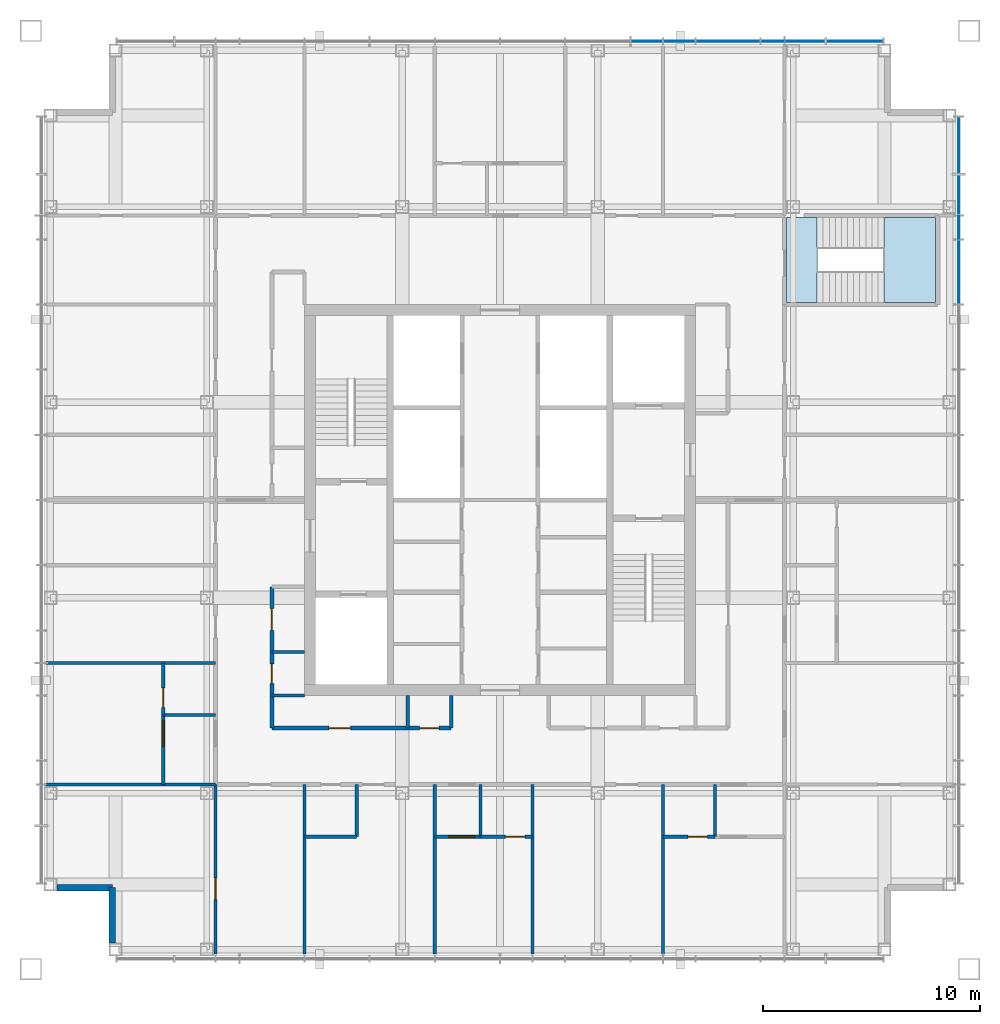
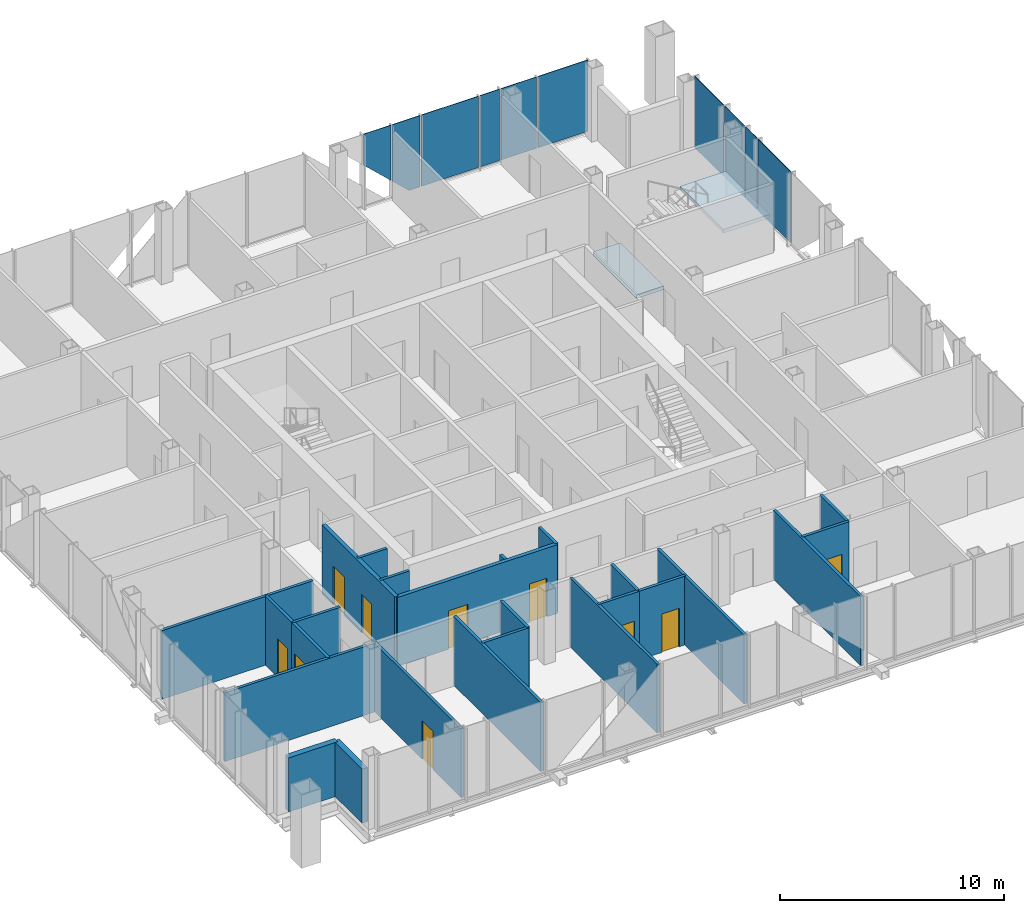
# One storey, part 7 of 12: 25 walls, 10 doors, 10 plates, 2 slabs, 10 openings, 3 elements without a shape of their own.
"""IFC4 building model written with IfcOpenShell, lengths in metres."""

from ifc_helpers import new_model, si_unit, direction, frame, frame_2d, origin, origin_2d, place, context, subcontext, project, spatial, polyline, rectangle, outline, extrude, material, layer, layer_set, type_object, element, fill, aggregate, save


model = new_model("IFC4")

# Units and contexts
model_context = context("Model", 3, precision=1e-05, world=origin(), true_north=direction((0.0, 1.0)))
body_context = subcontext(model_context, "Body", "Model", "MODEL_VIEW")
ifc_project = project(units=[si_unit("LENGTHUNIT", "METRE"), si_unit("AREAUNIT", "SQUARE_METRE"), si_unit("VOLUMEUNIT", "CUBIC_METRE"), si_unit("PLANEANGLEUNIT", "RADIAN"), si_unit("MASSUNIT", "GRAM", prefix="KILO")], contexts=[model_context])

# Site, building, storey
site_placement = place(None, origin())
site = spatial("IfcSite", under=ifc_project, at=site_placement, CompositionType="ELEMENT")
building_placement = place(site_placement, origin())
building = spatial("IfcBuilding", under=site, at=building_placement, Name="Malebo Sky Hospital", CompositionType="ELEMENT")
storey_placement = place(building_placement, frame((0.0, 0.0, 262.0)))
storey = spatial("IfcBuildingStorey", under=building, at=storey_placement, Name="L63", CompositionType="ELEMENT", Elevation=262.0)

# Stair, slabs
ifc_material_1 = material(Name="Concrete C40/50", Category="concrete")
stair_type = type_object("IfcStairType", Name="HALF-TURN STAIR 1400 R167", PredefinedType="HALF_TURN_STAIR", material=ifc_material_1)
stair_placement = place(storey_placement, origin())
stair = element("IfcStair", 1, at=stair_placement, inside=storey, type_object=stair_type, Name="Stair S3 L63 type ST1B", PredefinedType="HALF_TURN_STAIR")
ifc_layer_1 = layer(ifc_material_1, 0.199951171875)
ifc_layer_set_1 = layer_set([ifc_layer_1], Name="STAIR LANDING 200")
slab_type = type_object("IfcSlabType", Name="STAIR LANDING 200", PredefinedType="LANDING", material=ifc_layer_set_1)
slab_1_placement = place(storey_placement, frame((0.0, 0.0, -0.199951171875)))
slab_1 = element("IfcSlab", 2, at=slab_1_placement, type_object=slab_type, Name="S3 landing 1", PredefinedType="LANDING", context=body_context, shape_type="SweptSolid", body=[
    extrude(outline(polyline([(73.199951171875, 71.10009765625), (73.199951171875, 75.0), (74.60009765625, 75.0), (74.60009765625, 71.10009765625), (73.199951171875, 71.10009765625)])), origin(), (0.0, 0.0, 1.0), 0.199951171875),
])
slab_2_placement = place(storey_placement, frame((0.0, 0.0, 1.800048828125)))
slab_2 = element("IfcSlab", 3, at=slab_2_placement, type_object=slab_type, Name="S3 landing 2", PredefinedType="LANDING", context=body_context, shape_type="SweptSolid", body=[
    extrude(outline(polyline([(77.679931640625, 71.10009765625), (77.679931640625, 75.0), (80.050048828125, 75.0), (80.050048828125, 71.10009765625), (77.679931640625, 71.10009765625)])), origin(), (0.0, 0.0, 1.0), 0.199951171875),
])
aggregate(stair, [slab_1, slab_2])

# Curtain wall, plates
ifc_material_2 = material(Name="Anodised aluminium, natural silver", Category="aluminium")
ifc_layer_2 = layer(ifc_material_2, 0.25)
ifc_layer_set_2 = layer_set([ifc_layer_2], Name="WARD CURTAIN WALL NORTH AND SOUTH")
curtain_wall_type_1 = type_object("IfcCurtainWallType", Name="WARD CURTAIN WALL NORTH AND SOUTH", PredefinedType="NOTDEFINED", material=ifc_layer_set_2)
curtain_wall_1_placement = place(storey_placement, origin())
curtain_wall_1 = element("IfcCurtainWall", 4, at=curtain_wall_1_placement, inside=storey, type_object=curtain_wall_type_1, Name="NS curtain wall N", PredefinedType="NOTDEFINED")
ifc_material_3 = material(Name="Clear low-iron double glazing", Category="glass")
ifc_layer_3 = layer(ifc_material_3, 0.031982421875)
ifc_layer_set_3 = layer_set([ifc_layer_3], Name="VISION PANEL CLEAR 32")
plate_type = type_object("IfcPlateType", Name="VISION PANEL CLEAR 32", PredefinedType="CURTAIN_PANEL", material=ifc_layer_set_3)
plate_1_placement = place(storey_placement, frame((66.75, 83.125, 0.970458984375), z_axis=(0.0, 0.0, 1.0), x_axis=(1.0, 0.0, 0.0)))
plate_1 = element("IfcPlate", 5, at=plate_1_placement, type_object=plate_type, Name="Panel 10", PredefinedType="CURTAIN_PANEL", context=body_context, shape_type="SweptSolid", body=[
    extrude(outline(polyline([(0.71240234375, 0.0), (0.71240234375, 3.01953125), (-0.71240234375, 3.01953125), (-0.71240234375, 1.334228515625), (0.71240234375, 0.0)])), frame((0.0, 0.01611328125, 0.0), z_axis=(0.0, -1.0, 0.0), x_axis=(1.0, 0.0, 0.0)), (0.0, 0.0, 1.0), 0.031982421875),
])
plate_2_placement = place(storey_placement, frame((68.25, 83.125, 0.10009765625), z_axis=(0.0, 0.0, 1.0), x_axis=(1.0, 0.0, 0.0)))
plate_2 = element("IfcPlate", 6, at=plate_2_placement, type_object=plate_type, Name="Panel 11", PredefinedType="CURTAIN_PANEL", context=body_context, shape_type="SweptSolid", body=[
    extrude(outline(polyline([(0.14208984375, 0.0), (0.71240234375, 0.0), (0.71240234375, 3.889892578125), (-0.71240234375, 3.889892578125), (-0.71240234375, 0.80029296875), (0.14208984375, 0.0)])), frame((0.0, 0.01611328125, 0.0), z_axis=(0.0, -1.0, 0.0), x_axis=(1.0, 0.0, 0.0)), (0.0, 0.0, 1.0), 0.031982421875),
])
plate_3_placement = place(storey_placement, frame((70.5, 83.125, 0.10009765625), z_axis=(0.0, 0.0, 1.0), x_axis=(1.0, 0.0, 0.0)))
plate_3 = element("IfcPlate", 7, at=plate_3_placement, type_object=plate_type, Name="Panel 12", PredefinedType="CURTAIN_PANEL", context=body_context, shape_type="SweptSolid", body=[
    extrude(rectangle(XDim=2.925048828125, YDim=0.031982421875, at=origin_2d()), origin(), (0.0, 0.0, 1.0), 3.889892578125),
])
plate_4_placement = place(storey_placement, frame((72.550048828125, 83.125, 0.10009765625), z_axis=(0.0, 0.0, 1.0), x_axis=(1.0, 0.0, 0.0)))
plate_4 = element("IfcPlate", 8, at=plate_4_placement, type_object=plate_type, Name="Panel 13", PredefinedType="CURTAIN_PANEL", context=body_context, shape_type="SweptSolid", body=[
    extrude(rectangle(XDim=1.02490234375, YDim=0.031982421875, at=origin_2d()), origin(), (0.0, 0.0, 1.0), 3.889892578125),
])
plate_5_placement = place(storey_placement, frame((74.050048828125, 83.125, 0.10009765625), z_axis=(0.0, 0.0, 1.0), x_axis=(1.0, 0.0, 0.0)))
plate_5 = element("IfcPlate", 9, at=plate_5_placement, type_object=plate_type, Name="Panel 14", PredefinedType="CURTAIN_PANEL", context=body_context, shape_type="SweptSolid", body=[
    extrude(rectangle(XDim=1.824951171875, YDim=0.031982421875, at=origin_2d()), origin(), (0.0, 0.0, 1.0), 3.889892578125),
])
plate_6_placement = place(storey_placement, frame((76.331298828125, 83.125, 0.10009765625), z_axis=(0.0, 0.0, 1.0), x_axis=(1.0, 0.0, 0.0)))
plate_6 = element("IfcPlate", 10, at=plate_6_placement, type_object=plate_type, Name="Panel 15", PredefinedType="CURTAIN_PANEL", context=body_context, shape_type="SweptSolid", body=[
    extrude(rectangle(XDim=2.58740234375, YDim=0.031982421875, at=origin_2d()), origin(), (0.0, 0.0, 1.0), 3.889892578125),
])
aggregate(curtain_wall_1, [plate_1, plate_2, plate_3, plate_4, plate_5, plate_6])

ifc_layer_4 = layer(ifc_material_2, 0.25)
ifc_layer_set_4 = layer_set([ifc_layer_4], Name="WARD CURTAIN WALL EAST AND WEST")
curtain_wall_type_2 = type_object("IfcCurtainWallType", Name="WARD CURTAIN WALL EAST AND WEST", PredefinedType="NOTDEFINED", material=ifc_layer_set_4)
curtain_wall_2_placement = place(storey_placement, origin())
curtain_wall_2 = element("IfcCurtainWall", 11, at=curtain_wall_2_placement, inside=storey, type_object=curtain_wall_type_2, Name="EW curtain wall E", PredefinedType="NOTDEFINED")
plate_7_placement = place(storey_placement, frame((81.125, 78.331298828125, 0.10009765625), z_axis=(0.0, 0.0, 1.0), x_axis=(0.0, -1.0, 0.0)))
plate_7 = element("IfcPlate", 12, at=plate_7_placement, type_object=plate_type, Name="Panel 1", PredefinedType="CURTAIN_PANEL", context=body_context, shape_type="SweptSolid", body=[
    extrude(rectangle(XDim=2.58740234375, YDim=0.031982421875, at=origin_2d()), origin(), (0.0, 0.0, 1.0), 3.889892578125),
])
plate_8_placement = place(storey_placement, frame((81.125, 76.050048828125, 0.10009765625), z_axis=(0.0, 0.0, 1.0), x_axis=(0.0, -1.0, 0.0)))
plate_8 = element("IfcPlate", 13, at=plate_8_placement, type_object=plate_type, Name="Panel 2", PredefinedType="CURTAIN_PANEL", context=body_context, shape_type="SweptSolid", body=[
    extrude(rectangle(XDim=1.824951171875, YDim=0.031982421875, at=origin_2d()), origin(), (0.0, 0.0, 1.0), 3.889892578125),
])
plate_9_placement = place(storey_placement, frame((81.125, 74.550048828125, 0.10009765625), z_axis=(0.0, 0.0, 1.0), x_axis=(0.0, -1.0, 0.0)))
plate_9 = element("IfcPlate", 14, at=plate_9_placement, type_object=plate_type, Name="Panel 3", PredefinedType="CURTAIN_PANEL", context=body_context, shape_type="SweptSolid", body=[
    extrude(rectangle(XDim=1.02490234375, YDim=0.031982421875, at=origin_2d()), origin(), (0.0, 0.0, 1.0), 3.889892578125),
])
plate_10_placement = place(storey_placement, frame((81.125, 72.5, 0.10009765625), z_axis=(0.0, 0.0, 1.0), x_axis=(0.0, -1.0, 0.0)))
plate_10 = element("IfcPlate", 15, at=plate_10_placement, type_object=plate_type, Name="Panel 4", PredefinedType="CURTAIN_PANEL", context=body_context, shape_type="SweptSolid", body=[
    extrude(rectangle(XDim=2.925048828125, YDim=0.031982421875, at=origin_2d()), origin(), (0.0, 0.0, 1.0), 3.889892578125),
])
aggregate(curtain_wall_2, [plate_7, plate_8, plate_9, plate_10])

# Wall, openings, doors
ifc_material_4 = material(Name="Gypsum board on steel studs", Category="steel")
ifc_layer_5 = layer(ifc_material_4, 0.199951171875)
ifc_layer_set_5 = layer_set([ifc_layer_5], Name="CORRIDOR WALL 200")
wall_type_1 = type_object("IfcWallType", Name="CORRIDOR WALL 200", PredefinedType="PARTITIONING", material=ifc_layer_set_5)
wall_1_placement = place(storey_placement, frame((49.5, 51.5, 0.0), z_axis=(0.0, 0.0, 1.0), x_axis=(0.0, 1.0, 0.0)))
wall_1 = element("IfcWall", 16, at=wall_1_placement, inside=storey, type_object=wall_type_1, Name="Corridor Wall 200 WCI1", PredefinedType="PARTITIONING", context=body_context, shape_type="SweptSolid", body=[
    extrude(rectangle(XDim=6.5, YDim=0.199951171875, at=frame_2d((3.25, 0.0))), origin(), (0.0, 0.0, 1.0), 3.75),
])
opening_1_placement = place(wall_1_placement, frame((2.050048828125, 0.0, 0.0)))
opening_1 = element("IfcOpeningElement", 17, at=opening_1_placement, cuts=wall_1, Name="Opening D04", PredefinedType="OPENING", context=body_context, shape_type="SweptSolid", body=[
    extrude(rectangle(XDim=0.89990234375, YDim=2.10009765625, at=frame_2d((0.449951171875, 1.050048828125))), frame((0.0, 0.10986328125, 0.0), z_axis=(0.0, -1.0, 0.0), x_axis=(1.0, 0.0, 0.0)), (0.0, 0.0, 1.0), 0.219970703125),
])
opening_2_placement = place(wall_1_placement, frame((4.5, 0.0, 0.0)))
opening_2 = element("IfcOpeningElement", 18, at=opening_2_placement, cuts=wall_1, Name="Opening D03", PredefinedType="OPENING", context=body_context, shape_type="SweptSolid", body=[
    extrude(rectangle(XDim=1.0, YDim=2.10009765625, at=frame_2d((0.5, 1.050048828125))), frame((0.0, 0.10986328125, 0.0), z_axis=(0.0, -1.0, 0.0), x_axis=(1.0, 0.0, 0.0)), (0.0, 0.0, 1.0), 0.219970703125),
])
ifc_material_5 = material(Name="Hardwood-faced door leaf in steel frame", Category="steel")
door_type_1 = type_object("IfcDoorType", Name="ROOM DOOR 1000", OperationType="SINGLE_SWING_LEFT", PredefinedType="DOOR", material=ifc_material_5)
door_1_placement = place(opening_2_placement, origin())
door_1 = element("IfcDoor", 19, at=door_1_placement, inside=storey, type_object=door_type_1, Name="Linen store door", OperationType="SINGLE_SWING_LEFT", OverallHeight=2.10009765625, OverallWidth=1.0, PredefinedType="DOOR", context=body_context, shape_type="SweptSolid", body=[
    extrude(rectangle(XDim=1.0, YDim=2.10009765625, at=frame_2d((0.5, 1.050048828125))), frame((0.0, 0.02490234375, 0.0), z_axis=(0.0, -1.0, 0.0), x_axis=(1.0, 0.0, 0.0)), (0.0, 0.0, 1.0), 0.050048828125),
])
fill(opening_2, door_1)
door_type_2 = type_object("IfcDoorType", Name="ROOM DOOR 900", OperationType="SINGLE_SWING_LEFT", PredefinedType="DOOR", material=ifc_material_5)
door_2_placement = place(opening_1_placement, origin())
door_2 = element("IfcDoor", 20, at=door_2_placement, inside=storey, type_object=door_type_2, Name="Staff WC door", OperationType="SINGLE_SWING_LEFT", OverallHeight=2.10009765625, OverallWidth=0.89990234375, PredefinedType="DOOR", context=body_context, shape_type="SweptSolid", body=[
    extrude(rectangle(XDim=0.89990234375, YDim=2.10009765625, at=frame_2d((0.449951171875, 1.050048828125))), frame((0.0, 0.02490234375, 0.0), z_axis=(0.0, -1.0, 0.0), x_axis=(1.0, 0.0, 0.0)), (0.0, 0.0, 1.0), 0.050048828125),
])
fill(opening_1, door_2)

wall_2_placement = place(storey_placement, frame((57.75, 51.5, 0.0), z_axis=(0.0, 0.0, 1.0), x_axis=(-1.0, 0.0, 0.0)))
wall_2 = element("IfcWall", 21, at=wall_2_placement, inside=storey, type_object=wall_type_1, Name="Corridor Wall 200 SCI2", PredefinedType="PARTITIONING", context=body_context, shape_type="SweptSolid", body=[
    extrude(rectangle(XDim=8.25, YDim=0.199951171875, at=frame_2d((4.125, 0.0))), origin(), (0.0, 0.0, 1.0), 3.75),
])
opening_3_placement = place(wall_2_placement, frame((0.550048828125, 0.0, 0.0)))
opening_3 = element("IfcOpeningElement", 22, at=opening_3_placement, cuts=wall_2, Name="Opening D04", PredefinedType="OPENING", context=body_context, shape_type="SweptSolid", body=[
    extrude(rectangle(XDim=0.89990234375, YDim=2.10009765625, at=frame_2d((0.449951171875, 1.050048828125))), frame((0.0, 0.10986328125, 0.0), z_axis=(0.0, -1.0, 0.0), x_axis=(1.0, 0.0, 0.0)), (0.0, 0.0, 1.0), 0.219970703125),
])
opening_4_placement = place(wall_2_placement, frame((4.625, 0.0, 0.0)))
opening_4 = element("IfcOpeningElement", 23, at=opening_4_placement, cuts=wall_2, Name="Opening D03", PredefinedType="OPENING", context=body_context, shape_type="SweptSolid", body=[
    extrude(rectangle(XDim=1.0, YDim=2.10009765625, at=frame_2d((0.5, 1.050048828125))), frame((0.0, 0.10986328125, 0.0), z_axis=(0.0, -1.0, 0.0), x_axis=(1.0, 0.0, 0.0)), (0.0, 0.0, 1.0), 0.219970703125),
])
door_3_placement = place(opening_4_placement, origin())
door_3 = element("IfcDoor", 24, at=door_3_placement, inside=storey, type_object=door_type_1, Name="Gowning store door", OperationType="SINGLE_SWING_RIGHT", OverallHeight=2.10009765625, OverallWidth=1.0, PredefinedType="DOOR", context=body_context, shape_type="SweptSolid", body=[
    extrude(rectangle(XDim=1.0, YDim=2.10009765625, at=frame_2d((0.5, 1.050048828125))), frame((0.0, 0.02490234375, 0.0), z_axis=(0.0, -1.0, 0.0), x_axis=(1.0, 0.0, 0.0)), (0.0, 0.0, 1.0), 0.050048828125),
])
fill(opening_4, door_3)
door_4_placement = place(opening_3_placement, origin())
door_4 = element("IfcDoor", 25, at=door_4_placement, inside=storey, type_object=door_type_2, Name="Visitor WC door", OperationType="SINGLE_SWING_LEFT", OverallHeight=2.10009765625, OverallWidth=0.89990234375, PredefinedType="DOOR", context=body_context, shape_type="SweptSolid", body=[
    extrude(rectangle(XDim=0.89990234375, YDim=2.10009765625, at=frame_2d((0.449951171875, 1.050048828125))), frame((0.0, 0.02490234375, 0.0), z_axis=(0.0, -1.0, 0.0), x_axis=(1.0, 0.0, 0.0)), (0.0, 0.0, 1.0), 0.050048828125),
])
fill(opening_3, door_4)

# Walls
ifc_material_6 = material(Name="Anodised aluminium rainscreen on steel framing", Category="steel")
ifc_layer_6 = layer(ifc_material_6, 0.300048828125)
ifc_layer_set_6 = layer_set([ifc_layer_6], Name="NOTCH RAINSCREEN WALL 300")
wall_type_2 = type_object("IfcWallType", Name="NOTCH RAINSCREEN WALL 300", PredefinedType="ELEMENTEDWALL", material=ifc_layer_set_6)
for number, where, z_axis, x_axis, name in (
    (26, (42.14990234375, 41.60009765625, 0.0), (0.0, 0.0, 1.0), (0.0, 1.0, 0.0), "Notch rainscreen wall S1 L63"),
    (27, (42.14990234375, 44.14990234375, 0.0), (0.0, 0.0, 1.0), (-1.0, 0.0, 0.0), "Notch rainscreen wall S2 L63"),
):
    element("IfcWall", number, at=place(storey_placement, frame(where, z_axis=z_axis, x_axis=x_axis)), inside=storey, type_object=wall_type_2, Name=name, PredefinedType="ELEMENTEDWALL", context=body_context, shape_type="SweptSolid", body=[
        extrude(rectangle(XDim=2.5498046875, YDim=0.300048828125, at=frame_2d((1.27490234375, 0.0))), origin(), (0.0, 0.0, 1.0), 2.949951171875),
    ])
ifc_layer_7 = layer(ifc_material_4, 0.14990234375)
ifc_layer_set_7 = layer_set([ifc_layer_7], Name="PARTITION 150")
wall_type_3 = type_object("IfcWallType", Name="PARTITION 150", PredefinedType="PARTITIONING", material=ifc_layer_set_7)
for number, where, z_axis, x_axis, name in (
    (28, (46.89990234375, 54.5, 0.0), (0.0, 0.0, 1.0), (-1.0, 0.0, 0.0), "Partition 150 WP-7.5"),
    (29, (46.89990234375, 48.89990234375, 0.0), (0.0, 0.0, 1.0), (-1.0, 0.0, 0.0), "Partition 150 WP0"),
):
    element("IfcWall", number, at=place(storey_placement, frame(where, z_axis=z_axis, x_axis=x_axis)), inside=storey, type_object=wall_type_3, Name=name, PredefinedType="PARTITIONING", context=body_context, shape_type="SweptSolid", body=[
        extrude(rectangle(XDim=7.7998046875, YDim=0.14990234375, at=frame_2d((3.89990234375, 0.0))), origin(), (0.0, 0.0, 1.0), 3.75),
    ])

# Wall, opening, door
wall_3_placement = place(storey_placement, frame((44.5, 52.10009765625, 0.0), z_axis=(0.0, 0.0, 1.0), x_axis=(0.0, 1.0, 0.0)))
wall_3 = element("IfcWall", 30, at=wall_3_placement, inside=storey, type_object=wall_type_3, Name="Partition 150 WE0F", PredefinedType="PARTITIONING", context=body_context, shape_type="SweptSolid", body=[
    extrude(rectangle(XDim=2.39990234375, YDim=0.14990234375, at=frame_2d((1.199951171875, 0.0))), origin(), (0.0, 0.0, 1.0), 3.75),
])
opening_5_placement = place(wall_3_placement, frame((0.35009765625, 0.0, 0.0)))
opening_5 = element("IfcOpeningElement", 31, at=opening_5_placement, cuts=wall_3, Name="Opening D02", PredefinedType="OPENING", context=body_context, shape_type="SweptSolid", body=[
    extrude(rectangle(XDim=0.89990234375, YDim=2.10009765625, at=frame_2d((0.449951171875, 1.050048828125))), frame((0.0, 0.0849609375, 0.0), z_axis=(0.0, -1.0, 0.0), x_axis=(1.0, 0.0, 0.0)), (0.0, 0.0, 1.0), 0.169921875),
])
door_type_3 = type_object("IfcDoorType", Name="EN-SUITE DOOR 900", OperationType="SINGLE_SWING_LEFT", PredefinedType="DOOR", material=ifc_material_5)
door_5_placement = place(opening_5_placement, origin())
door_5 = element("IfcDoor", 32, at=door_5_placement, inside=storey, type_object=door_type_3, Name="En-suite door", OperationType="SINGLE_SWING_LEFT", OverallHeight=2.10009765625, OverallWidth=0.89990234375, PredefinedType="DOOR", context=body_context, shape_type="SweptSolid", body=[
    extrude(rectangle(XDim=0.89990234375, YDim=2.10009765625, at=frame_2d((0.449951171875, 1.050048828125))), frame((0.0, 0.02490234375, 0.0), z_axis=(0.0, -1.0, 0.0), x_axis=(1.0, 0.0, 0.0)), (0.0, 0.0, 1.0), 0.050048828125),
])
fill(opening_5, door_5)

# Walls
wall_4_placement = place(storey_placement, frame((46.89990234375, 52.10009765625, 0.0), z_axis=(0.0, 0.0, 1.0), x_axis=(-1.0, 0.0, 0.0)))
element("IfcWall", 33, at=wall_4_placement, inside=storey, type_object=wall_type_3, Name="Partition 150 WE0S", PredefinedType="PARTITIONING", context=body_context, shape_type="SweptSolid", body=[
    extrude(rectangle(XDim=2.39990234375, YDim=0.14990234375, at=frame_2d((1.199951171875, 0.0))), origin(), (0.0, 0.0, 1.0), 3.75),
])
for number, where, z_axis, x_axis, name in (
    (34, (51.0, 53.0, 0.0), (0.0, 0.0, 1.0), (-1.0, 0.0, 0.0), "Partition 150 WSP0"),
    (35, (51.0, 55.0, 0.0), (0.0, 0.0, 1.0), (-1.0, 0.0, 0.0), "Partition 150 WSP-7.0"),
):
    element("IfcWall", number, at=place(storey_placement, frame(where, z_axis=z_axis, x_axis=x_axis)), inside=storey, type_object=wall_type_3, Name=name, PredefinedType="PARTITIONING", context=body_context, shape_type="SweptSolid", body=[
        extrude(rectangle(XDim=1.5, YDim=0.14990234375, at=frame_2d((0.75, 0.0))), origin(), (0.0, 0.0, 1.0), 3.75),
    ])
for number, where, z_axis, x_axis, name in (
    (36, (67.5, 48.89990234375, 0.0), (0.0, 0.0, 1.0), (0.0, -1.0, 0.0), "Partition 150 SP-7.5"),
    (37, (61.5, 48.89990234375, 0.0), (0.0, 0.0, 1.0), (0.0, -1.0, 0.0), "Partition 150 SP-1.5"),
    (38, (57.0, 48.89990234375, 0.0), (0.0, 0.0, 1.0), (0.0, -1.0, 0.0), "Partition 150 SP+3.0"),
    (39, (51.0, 48.89990234375, 0.0), (0.0, 0.0, 1.0), (0.0, -1.0, 0.0), "Partition 150 SP+9.0"),
):
    element("IfcWall", number, at=place(storey_placement, frame(where, z_axis=z_axis, x_axis=x_axis)), inside=storey, type_object=wall_type_3, Name=name, PredefinedType="PARTITIONING", context=body_context, shape_type="SweptSolid", body=[
        extrude(rectangle(XDim=7.7998046875, YDim=0.14990234375, at=frame_2d((3.89990234375, 0.0))), origin(), (0.0, 0.0, 1.0), 3.75),
    ])

# Wall, opening, door
wall_5_placement = place(storey_placement, frame((69.89990234375, 46.5, 0.0), z_axis=(0.0, 0.0, 1.0), x_axis=(-1.0, 0.0, 0.0)))
wall_5 = element("IfcWall", 40, at=wall_5_placement, inside=storey, type_object=wall_type_3, Name="Partition 150 SE0F", PredefinedType="PARTITIONING", context=body_context, shape_type="SweptSolid", body=[
    extrude(rectangle(XDim=2.39990234375, YDim=0.14990234375, at=frame_2d((1.199951171875, 0.0))), origin(), (0.0, 0.0, 1.0), 3.75),
])
opening_6_placement = place(wall_5_placement, frame((0.35009765625, 0.0, 0.0)))
opening_6 = element("IfcOpeningElement", 41, at=opening_6_placement, cuts=wall_5, Name="Opening D02", PredefinedType="OPENING", context=body_context, shape_type="SweptSolid", body=[
    extrude(rectangle(XDim=0.89990234375, YDim=2.10009765625, at=frame_2d((0.449951171875, 1.050048828125))), frame((0.0, 0.0849609375, 0.0), z_axis=(0.0, -1.0, 0.0), x_axis=(1.0, 0.0, 0.0)), (0.0, 0.0, 1.0), 0.169921875),
])
door_6_placement = place(opening_6_placement, origin())
door_6 = element("IfcDoor", 42, at=door_6_placement, inside=storey, type_object=door_type_3, Name="En-suite door", OperationType="SINGLE_SWING_LEFT", OverallHeight=2.10009765625, OverallWidth=0.89990234375, PredefinedType="DOOR", context=body_context, shape_type="SweptSolid", body=[
    extrude(rectangle(XDim=0.89990234375, YDim=2.10009765625, at=frame_2d((0.449951171875, 1.050048828125))), frame((0.0, 0.02490234375, 0.0), z_axis=(0.0, -1.0, 0.0), x_axis=(1.0, 0.0, 0.0)), (0.0, 0.0, 1.0), 0.050048828125),
])
fill(opening_6, door_6)

# Wall
wall_6_placement = place(storey_placement, frame((69.89990234375, 48.89990234375, 0.0), z_axis=(0.0, 0.0, 1.0), x_axis=(0.0, -1.0, 0.0)))
element("IfcWall", 43, at=wall_6_placement, inside=storey, type_object=wall_type_3, Name="Partition 150 SE0S", PredefinedType="PARTITIONING", context=body_context, shape_type="SweptSolid", body=[
    extrude(rectangle(XDim=2.39990234375, YDim=0.14990234375, at=frame_2d((1.199951171875, 0.0))), origin(), (0.0, 0.0, 1.0), 3.75),
])

# Wall, opening, door
wall_7_placement = place(storey_placement, frame((61.5, 46.5, 0.0), z_axis=(0.0, 0.0, 1.0), x_axis=(-1.0, 0.0, 0.0)))
wall_7 = element("IfcWall", 44, at=wall_7_placement, inside=storey, type_object=wall_type_3, Name="Partition 150 SE2F", PredefinedType="PARTITIONING", context=body_context, shape_type="SweptSolid", body=[
    extrude(rectangle(XDim=2.39990234375, YDim=0.14990234375, at=frame_2d((1.199951171875, 0.0))), origin(), (0.0, 0.0, 1.0), 3.75),
])
opening_7_placement = place(wall_7_placement, frame((0.35009765625, 0.0, 0.0)))
opening_7 = element("IfcOpeningElement", 45, at=opening_7_placement, cuts=wall_7, Name="Opening D02", PredefinedType="OPENING", context=body_context, shape_type="SweptSolid", body=[
    extrude(rectangle(XDim=0.89990234375, YDim=2.10009765625, at=frame_2d((0.449951171875, 1.050048828125))), frame((0.0, 0.0849609375, 0.0), z_axis=(0.0, -1.0, 0.0), x_axis=(1.0, 0.0, 0.0)), (0.0, 0.0, 1.0), 0.169921875),
])
door_7_placement = place(opening_7_placement, origin())
door_7 = element("IfcDoor", 46, at=door_7_placement, inside=storey, type_object=door_type_3, Name="En-suite door", OperationType="SINGLE_SWING_LEFT", OverallHeight=2.10009765625, OverallWidth=0.89990234375, PredefinedType="DOOR", context=body_context, shape_type="SweptSolid", body=[
    extrude(rectangle(XDim=0.89990234375, YDim=2.10009765625, at=frame_2d((0.449951171875, 1.050048828125))), frame((0.0, 0.02490234375, 0.0), z_axis=(0.0, -1.0, 0.0), x_axis=(1.0, 0.0, 0.0)), (0.0, 0.0, 1.0), 0.050048828125),
])
fill(opening_7, door_7)

# Walls
for number, where, z_axis, x_axis, name in (
    (47, (59.10009765625, 48.89990234375, 0.0), (0.0, 0.0, 1.0), (0.0, -1.0, 0.0), "Partition 150 SE2S"),
    (48, (53.39990234375, 46.5, 0.0), (0.0, 0.0, 1.0), (-1.0, 0.0, 0.0), "Partition 150 SC3F"),
    (49, (53.39990234375, 48.89990234375, 0.0), (0.0, 0.0, 1.0), (0.0, -1.0, 0.0), "Partition 150 SC3S"),
):
    element("IfcWall", number, at=place(storey_placement, frame(where, z_axis=z_axis, x_axis=x_axis)), inside=storey, type_object=wall_type_3, Name=name, PredefinedType="PARTITIONING", context=body_context, shape_type="SweptSolid", body=[
        extrude(rectangle(XDim=2.39990234375, YDim=0.14990234375, at=frame_2d((1.199951171875, 0.0))), origin(), (0.0, 0.0, 1.0), 3.75),
    ])

# Wall, opening, door
wall_8_placement = place(storey_placement, frame((46.89990234375, 48.89990234375, 0.0), z_axis=(0.0, 0.0, 1.0), x_axis=(0.0, -1.0, 0.0)))
wall_8 = element("IfcWall", 50, at=wall_8_placement, inside=storey, type_object=wall_type_3, Name="Partition 150 SK", PredefinedType="PARTITIONING", context=body_context, shape_type="SweptSolid", body=[
    extrude(rectangle(XDim=7.7998046875, YDim=0.14990234375, at=frame_2d((3.89990234375, 0.0))), origin(), (0.0, 0.0, 1.0), 3.75),
])
opening_8_placement = place(wall_8_placement, frame((4.300048828125, 0.0, 0.0)))
opening_8 = element("IfcOpeningElement", 51, at=opening_8_placement, cuts=wall_8, Name="Opening D03", PredefinedType="OPENING", context=body_context, shape_type="SweptSolid", body=[
    extrude(rectangle(XDim=1.0, YDim=2.10009765625, at=frame_2d((0.5, 1.050048828125))), frame((0.0, 0.0849609375, 0.0), z_axis=(0.0, -1.0, 0.0), x_axis=(1.0, 0.0, 0.0)), (0.0, 0.0, 1.0), 0.169921875),
])
door_8_placement = place(opening_8_placement, origin())
door_8 = element("IfcDoor", 52, at=door_8_placement, inside=storey, type_object=door_type_1, Name="Quiet room door", OperationType="SINGLE_SWING_RIGHT", OverallHeight=2.10009765625, OverallWidth=1.0, PredefinedType="DOOR", context=body_context, shape_type="SweptSolid", body=[
    extrude(rectangle(XDim=1.0, YDim=2.10009765625, at=frame_2d((0.5, 1.050048828125))), frame((0.0, 0.02490234375, 0.0), z_axis=(0.0, -1.0, 0.0), x_axis=(1.0, 0.0, 0.0)), (0.0, 0.0, 1.0), 0.050048828125),
])
fill(opening_8, door_8)

# Walls
wall_9_placement = place(storey_placement, frame((57.75, 53.0, 0.0), z_axis=(0.0, 0.0, 1.0), x_axis=(0.0, -1.0, 0.0)))
element("IfcWall", 53, at=wall_9_placement, inside=storey, type_object=wall_type_3, Name="Partition 150 SSPB", PredefinedType="PARTITIONING", context=body_context, shape_type="SweptSolid", body=[
    extrude(rectangle(XDim=1.5, YDim=0.14990234375, at=frame_2d((0.75, 0.0))), origin(), (0.0, 0.0, 1.0), 3.75),
])
wall_10_placement = place(storey_placement, frame((55.75, 53.0, 0.0), z_axis=(0.0, 0.0, 1.0), x_axis=(0.0, -1.0, 0.0)))
element("IfcWall", 54, at=wall_10_placement, inside=storey, type_object=wall_type_3, Name="Partition 150 SSP+4.2", PredefinedType="PARTITIONING", context=body_context, shape_type="SweptSolid", body=[
    extrude(rectangle(XDim=1.5, YDim=0.14990234375, at=frame_2d((0.75, 0.0))), origin(), (0.0, 0.0, 1.0), 2.949951171875),
])

# Wall, opening, door
ifc_material_7 = material(Name="Sealed gypsum board on steel studs, taped to the slab", Category="steel")
ifc_layer_8 = layer(ifc_material_7, 0.14990234375)
ifc_layer_set_8 = layer_set([ifc_layer_8], Name="SEALED ISOLATION PARTITION 150")
wall_type_4 = type_object("IfcWallType", Name="SEALED ISOLATION PARTITION 150", PredefinedType="PARTITIONING", material=ifc_layer_set_8)
wall_11_placement = place(storey_placement, frame((44.5, 48.89990234375, 0.0), z_axis=(0.0, 0.0, 1.0), x_axis=(0.0, 1.0, 0.0)))
wall_11 = element("IfcWall", 55, at=wall_11_placement, inside=storey, type_object=wall_type_4, Name="Sealed Isolation Partition 150 WA0F", PredefinedType="PARTITIONING", context=body_context, shape_type="SweptSolid", body=[
    extrude(rectangle(XDim=3.2001953125, YDim=0.14990234375, at=frame_2d((1.60009765625, 0.0))), origin(), (0.0, 0.0, 1.0), 3.75),
])
opening_9_placement = place(wall_11_placement, frame((1.75, 0.0, 0.0)))
opening_9 = element("IfcOpeningElement", 56, at=opening_9_placement, cuts=wall_11, Name="Opening D19", PredefinedType="OPENING", context=body_context, shape_type="SweptSolid", body=[
    extrude(rectangle(XDim=1.199951171875, YDim=2.199951171875, at=frame_2d((0.60009765625, 1.10009765625))), frame((0.0, 0.0849609375, 0.0), z_axis=(0.0, -1.0, 0.0), x_axis=(1.0, 0.0, 0.0)), (0.0, 0.0, 1.0), 0.169921875),
])
ifc_material_8 = material(Name="Hardwood-faced door leaf with perimeter seals in steel frame", Category="steel")
door_type_4 = type_object("IfcDoorType", Name="SEALED ISOLATION ROOM DOOR 1200", OperationType="SINGLE_SWING_LEFT", PredefinedType="DOOR", material=ifc_material_8)
door_9_placement = place(opening_9_placement, origin())
door_9 = element("IfcDoor", 57, at=door_9_placement, inside=storey, type_object=door_type_4, Name="Isolation room door", OperationType="SINGLE_SWING_RIGHT", OverallHeight=2.199951171875, OverallWidth=1.199951171875, PredefinedType="DOOR", context=body_context, shape_type="SweptSolid", body=[
    extrude(rectangle(XDim=1.199951171875, YDim=2.199951171875, at=frame_2d((0.60009765625, 1.10009765625))), frame((0.0, 0.02490234375, 0.0), z_axis=(0.0, -1.0, 0.0), x_axis=(1.0, 0.0, 0.0)), (0.0, 0.0, 1.0), 0.050048828125),
])
fill(opening_9, door_9)

wall_12_placement = place(storey_placement, frame((59.10009765625, 46.5, 0.0), z_axis=(0.0, 0.0, 1.0), x_axis=(-1.0, 0.0, 0.0)))
wall_12 = element("IfcWall", 58, at=wall_12_placement, inside=storey, type_object=wall_type_4, Name="Sealed Isolation Partition 150 SA2F", PredefinedType="PARTITIONING", context=body_context, shape_type="SweptSolid", body=[
    extrude(rectangle(XDim=2.10009765625, YDim=0.14990234375, at=frame_2d((1.050048828125, 0.0))), origin(), (0.0, 0.0, 1.0), 3.75),
])
opening_10_placement = place(wall_12_placement, frame((0.25, 0.0, 0.0)))
opening_10 = element("IfcOpeningElement", 59, at=opening_10_placement, cuts=wall_12, Name="Opening D19", PredefinedType="OPENING", context=body_context, shape_type="SweptSolid", body=[
    extrude(rectangle(XDim=1.199951171875, YDim=2.199951171875, at=frame_2d((0.60009765625, 1.10009765625))), frame((0.0, 0.0849609375, 0.0), z_axis=(0.0, -1.0, 0.0), x_axis=(1.0, 0.0, 0.0)), (0.0, 0.0, 1.0), 0.169921875),
])
door_10_placement = place(opening_10_placement, origin())
door_10 = element("IfcDoor", 60, at=door_10_placement, inside=storey, type_object=door_type_4, Name="Isolation room door", OperationType="SINGLE_SWING_LEFT", OverallHeight=2.199951171875, OverallWidth=1.199951171875, PredefinedType="DOOR", context=body_context, shape_type="SweptSolid", body=[
    extrude(rectangle(XDim=1.199951171875, YDim=2.199951171875, at=frame_2d((0.60009765625, 1.10009765625))), frame((0.0, 0.02490234375, 0.0), z_axis=(0.0, -1.0, 0.0), x_axis=(1.0, 0.0, 0.0)), (0.0, 0.0, 1.0), 0.050048828125),
])
fill(opening_10, door_10)

save(model, "model.ifc")
